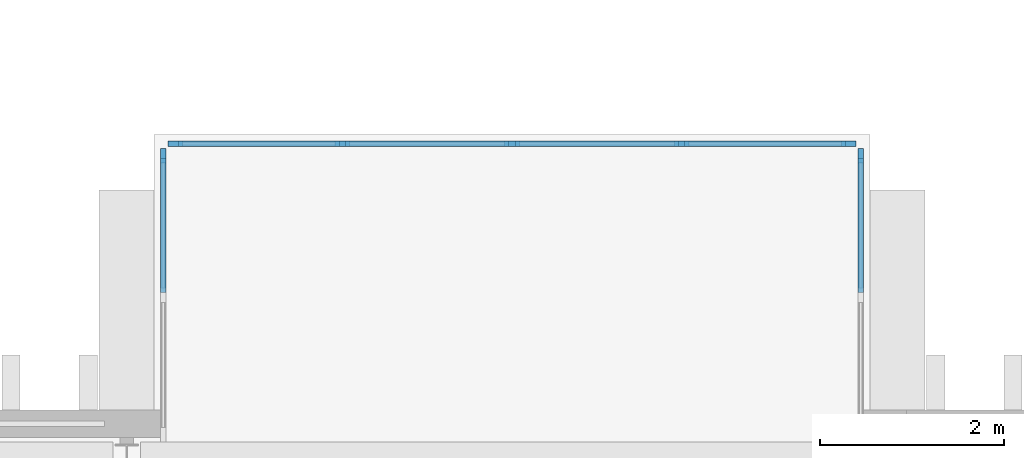
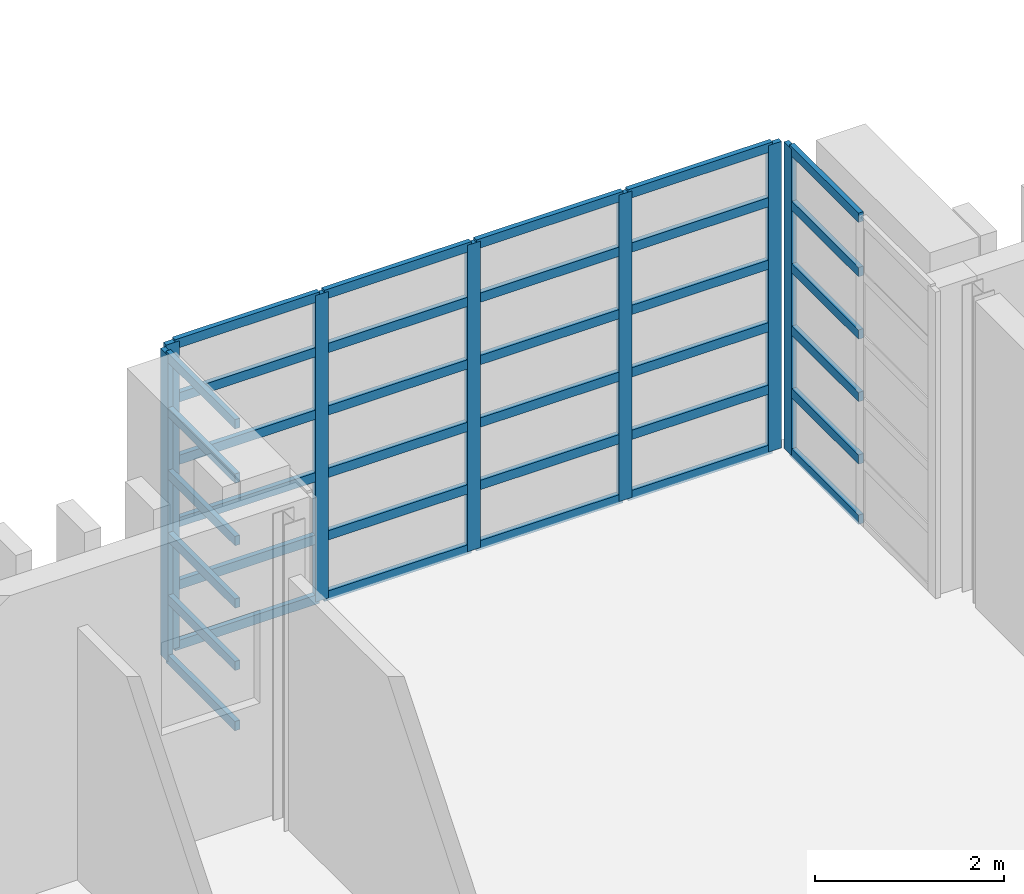
# One storey, part 34 of 88: 43 members, 3 elements without a shape of their own.
"""IFC4 building model written with IfcOpenShell, lengths in metres."""

from ifc_helpers import new_model, si_unit, direction, frame, origin, origin_2d, place, context, subcontext, project, spatial, rectangle, extrude, material, layer, layer_set, material_profile, profile_set, type_object, element, aggregate, save


model = new_model("IFC4")

# Units and contexts
model_context = context("Model", 3, precision=1e-05, world=origin(), true_north=direction((0.0, 1.0)))
body_context = subcontext(model_context, "Body", "Model", "MODEL_VIEW")
ifc_project = project(units=[si_unit("LENGTHUNIT", "METRE"), si_unit("AREAUNIT", "SQUARE_METRE"), si_unit("VOLUMEUNIT", "CUBIC_METRE"), si_unit("PLANEANGLEUNIT", "RADIAN"), si_unit("MASSUNIT", "GRAM", prefix="KILO")], contexts=[model_context])

# Site, building, storey
site_placement = place(None, origin())
site = spatial("IfcSite", under=ifc_project, at=site_placement, CompositionType="ELEMENT")
building_placement = place(site_placement, origin())
building = spatial("IfcBuilding", under=site, at=building_placement, Name="Cresset Court Congress Hotel", CompositionType="ELEMENT")
storey_placement = place(building_placement, frame((0.0, 0.0, 14.39990234375)))
storey = spatial("IfcBuildingStorey", under=building, at=storey_placement, Name="L03", CompositionType="ELEMENT", Elevation=14.39990234375)

# Curtain wall, members
ifc_material_1 = material(Name="Aluminium frame with double glazing", Category="aluminium")
ifc_layer = layer(ifc_material_1, 0.199951171875)
ifc_layer_set = layer_set([ifc_layer], Name="Glazed box curtain wall 1680 module")
curtain_wall_type = type_object("IfcCurtainWallType", Name="Glazed box curtain wall 1680 module", PredefinedType="NOTDEFINED", material=ifc_layer_set)
curtain_wall_1_placement = place(storey_placement, origin())
curtain_wall_1 = element("IfcCurtainWall", 1, at=curtain_wall_1_placement, inside=storey, type_object=curtain_wall_type, Name="Glazed box N0333 front", PredefinedType="NOTDEFINED")
ifc_material_2 = material(Name="Aluminium", Category="aluminium")
ifc_material_profile_1 = material_profile(ifc_material_2, rectangle(XDim=0.06005859375, YDim=0.159912109375, at=origin_2d()), Name="Box mullion 60x160")
ifc_profile_set_1 = profile_set([ifc_material_profile_1], Name="Aluminium")
member_type_1 = type_object("IfcMemberType", Name="Box mullion 60x160", PredefinedType="MULLION", material=ifc_profile_set_1)
member_1_placement = place(storey_placement, frame((126.530029296875, 28.60009765625, 0.0), z_axis=(0.0, 0.0, 1.0), x_axis=(0.0, 1.0, 0.0)))
member_1 = element("IfcMember", 2, at=member_1_placement, type_object=member_type_1, Name="B-X1 mullion 1", PredefinedType="MULLION", context=body_context, shape_type="SweptSolid", body=[
    extrude(rectangle(XDim=0.06005859375, YDim=0.159912109375, at=origin_2d()), origin(), (0.0, 0.0, 1.0), 3.9501953125),
])
member_2_placement = place(storey_placement, frame((128.35009765625, 28.60009765625, 0.0), z_axis=(0.0, 0.0, 1.0), x_axis=(0.0, 1.0, 0.0)))
member_2 = element("IfcMember", 3, at=member_2_placement, type_object=member_type_1, Name="B-X1 mullion 2", PredefinedType="MULLION", context=body_context, shape_type="SweptSolid", body=[
    extrude(rectangle(XDim=0.06005859375, YDim=0.159912109375, at=origin_2d()), origin(), (0.0, 0.0, 1.0), 3.9501953125),
])
member_3_placement = place(storey_placement, frame((130.199951171875, 28.60009765625, 0.0), z_axis=(0.0, 0.0, 1.0), x_axis=(0.0, 1.0, 0.0)))
member_3 = element("IfcMember", 4, at=member_3_placement, type_object=member_type_1, Name="B-X1 mullion 3", PredefinedType="MULLION", context=body_context, shape_type="SweptSolid", body=[
    extrude(rectangle(XDim=0.06005859375, YDim=0.159912109375, at=origin_2d()), origin(), (0.0, 0.0, 1.0), 3.9501953125),
])
member_4_placement = place(storey_placement, frame((132.050048828125, 28.60009765625, 0.0), z_axis=(0.0, 0.0, 1.0), x_axis=(0.0, 1.0, 0.0)))
member_4 = element("IfcMember", 5, at=member_4_placement, type_object=member_type_1, Name="B-X1 mullion 4", PredefinedType="MULLION", context=body_context, shape_type="SweptSolid", body=[
    extrude(rectangle(XDim=0.06005859375, YDim=0.159912109375, at=origin_2d()), origin(), (0.0, 0.0, 1.0), 3.9501953125),
])
member_5_placement = place(storey_placement, frame((133.8701171875, 28.60009765625, 0.0), z_axis=(0.0, 0.0, 1.0), x_axis=(0.0, 1.0, 0.0)))
member_5 = element("IfcMember", 6, at=member_5_placement, type_object=member_type_1, Name="B-X1 mullion 5", PredefinedType="MULLION", context=body_context, shape_type="SweptSolid", body=[
    extrude(rectangle(XDim=0.06005859375, YDim=0.159912109375, at=origin_2d()), origin(), (0.0, 0.0, 1.0), 3.9501953125),
])

# Curtain wall, member
curtain_wall_2_placement = place(storey_placement, origin())
curtain_wall_2 = element("IfcCurtainWall", 7, at=curtain_wall_2_placement, inside=storey, type_object=curtain_wall_type, Name="Glazed box N0333 side", PredefinedType="NOTDEFINED")
member_6_placement = place(storey_placement, frame((126.39990234375, 28.469970703125, 0.0), z_axis=(0.0, 0.0, 1.0), x_axis=(-1.0, 0.0, 0.0)))
member_6 = element("IfcMember", 8, at=member_6_placement, type_object=member_type_1, Name="B-X1 mullion 3", PredefinedType="MULLION", context=body_context, shape_type="SweptSolid", body=[
    extrude(rectangle(XDim=0.06005859375, YDim=0.159912109375, at=origin_2d()), origin(), (0.0, 0.0, 1.0), 3.9501953125),
])

curtain_wall_3_placement = place(storey_placement, origin())
curtain_wall_3 = element("IfcCurtainWall", 9, at=curtain_wall_3_placement, inside=storey, type_object=curtain_wall_type, Name="Glazed box N0333 side", PredefinedType="NOTDEFINED")
member_7_placement = place(storey_placement, frame((134.0, 28.469970703125, 0.0), z_axis=(0.0, 0.0, 1.0), x_axis=(-1.0, 0.0, 0.0)))
member_7 = element("IfcMember", 10, at=member_7_placement, type_object=member_type_1, Name="B-X1 mullion 3", PredefinedType="MULLION", context=body_context, shape_type="SweptSolid", body=[
    extrude(rectangle(XDim=0.06005859375, YDim=0.159912109375, at=origin_2d()), origin(), (0.0, 0.0, 1.0), 3.9501953125),
])

# Member
ifc_material_3 = material(Name="Aluminium", Category="aluminium")
ifc_material_profile_2 = material_profile(ifc_material_3, rectangle(XDim=0.06005859375, YDim=0.1201171875, at=origin_2d()), Name="Box transom 60x120")
ifc_profile_set_2 = profile_set([ifc_material_profile_2], Name="Aluminium")
member_type_2 = type_object("IfcMemberType", Name="Box transom 60x120", PredefinedType="USERDEFINED", material=ifc_profile_set_2)
member_8_placement = place(storey_placement, frame((126.56005859375, 28.60009765625, 0.030029296875), z_axis=(1.0, 0.0, 0.0), x_axis=(0.0, 1.0, 0.0)))
member_8 = element("IfcMember", 11, at=member_8_placement, type_object=member_type_2, Name="B-X1 transom 1.1", ObjectType="TRANSOM", PredefinedType="USERDEFINED", context=body_context, shape_type="SweptSolid", body=[
    extrude(rectangle(XDim=0.06005859375, YDim=0.1201171875, at=origin_2d()), origin(), (0.0, 0.0, 1.0), 1.760009765625),
])

member_9_placement = place(storey_placement, frame((126.56005859375, 28.60009765625, 0.80517578125), z_axis=(1.0, 0.0, 0.0), x_axis=(0.0, 1.0, 0.0)))
member_9 = element("IfcMember", 12, at=member_9_placement, type_object=member_type_2, Name="B-X1 transom 1.2", ObjectType="TRANSOM", PredefinedType="USERDEFINED", context=body_context, shape_type="SweptSolid", body=[
    extrude(rectangle(XDim=0.06005859375, YDim=0.1201171875, at=origin_2d()), origin(), (0.0, 0.0, 1.0), 1.760009765625),
])

member_10_placement = place(storey_placement, frame((126.56005859375, 28.60009765625, 1.610107421875), z_axis=(1.0, 0.0, 0.0), x_axis=(0.0, 1.0, 0.0)))
member_10 = element("IfcMember", 13, at=member_10_placement, type_object=member_type_2, Name="B-X1 transom 1.3", ObjectType="TRANSOM", PredefinedType="USERDEFINED", context=body_context, shape_type="SweptSolid", body=[
    extrude(rectangle(XDim=0.06005859375, YDim=0.1201171875, at=origin_2d()), origin(), (0.0, 0.0, 1.0), 1.760009765625),
])

member_11_placement = place(storey_placement, frame((126.56005859375, 28.60009765625, 2.4150390625), z_axis=(1.0, 0.0, 0.0), x_axis=(0.0, 1.0, 0.0)))
member_11 = element("IfcMember", 14, at=member_11_placement, type_object=member_type_2, Name="B-X1 transom 1.4", ObjectType="TRANSOM", PredefinedType="USERDEFINED", context=body_context, shape_type="SweptSolid", body=[
    extrude(rectangle(XDim=0.06005859375, YDim=0.1201171875, at=origin_2d()), origin(), (0.0, 0.0, 1.0), 1.760009765625),
])

member_12_placement = place(storey_placement, frame((126.56005859375, 28.60009765625, 3.22021484375), z_axis=(1.0, 0.0, 0.0), x_axis=(0.0, 1.0, 0.0)))
member_12 = element("IfcMember", 15, at=member_12_placement, type_object=member_type_2, Name="B-X1 transom 1.5", ObjectType="TRANSOM", PredefinedType="USERDEFINED", context=body_context, shape_type="SweptSolid", body=[
    extrude(rectangle(XDim=0.06005859375, YDim=0.1201171875, at=origin_2d()), origin(), (0.0, 0.0, 1.0), 1.760009765625),
])

member_13_placement = place(storey_placement, frame((126.56005859375, 28.60009765625, 3.920166015625), z_axis=(1.0, 0.0, 0.0), x_axis=(0.0, 1.0, 0.0)))
member_13 = element("IfcMember", 16, at=member_13_placement, type_object=member_type_2, Name="B-X1 transom 1.6", ObjectType="TRANSOM", PredefinedType="USERDEFINED", context=body_context, shape_type="SweptSolid", body=[
    extrude(rectangle(XDim=0.06005859375, YDim=0.1201171875, at=origin_2d()), origin(), (0.0, 0.0, 1.0), 1.760009765625),
])

member_14_placement = place(storey_placement, frame((128.3798828125, 28.60009765625, 0.030029296875), z_axis=(1.0, 0.0, 0.0), x_axis=(0.0, 1.0, 0.0)))
member_14 = element("IfcMember", 17, at=member_14_placement, type_object=member_type_2, Name="B-X1 transom 2.1", ObjectType="TRANSOM", PredefinedType="USERDEFINED", context=body_context, shape_type="SweptSolid", body=[
    extrude(rectangle(XDim=0.06005859375, YDim=0.1201171875, at=origin_2d()), origin(), (0.0, 0.0, 1.0), 1.7900390625),
])

member_15_placement = place(storey_placement, frame((128.3798828125, 28.60009765625, 0.80517578125), z_axis=(1.0, 0.0, 0.0), x_axis=(0.0, 1.0, 0.0)))
member_15 = element("IfcMember", 18, at=member_15_placement, type_object=member_type_2, Name="B-X1 transom 2.2", ObjectType="TRANSOM", PredefinedType="USERDEFINED", context=body_context, shape_type="SweptSolid", body=[
    extrude(rectangle(XDim=0.06005859375, YDim=0.1201171875, at=origin_2d()), origin(), (0.0, 0.0, 1.0), 1.7900390625),
])

member_16_placement = place(storey_placement, frame((128.3798828125, 28.60009765625, 1.610107421875), z_axis=(1.0, 0.0, 0.0), x_axis=(0.0, 1.0, 0.0)))
member_16 = element("IfcMember", 19, at=member_16_placement, type_object=member_type_2, Name="B-X1 transom 2.3", ObjectType="TRANSOM", PredefinedType="USERDEFINED", context=body_context, shape_type="SweptSolid", body=[
    extrude(rectangle(XDim=0.06005859375, YDim=0.1201171875, at=origin_2d()), origin(), (0.0, 0.0, 1.0), 1.7900390625),
])

member_17_placement = place(storey_placement, frame((128.3798828125, 28.60009765625, 2.4150390625), z_axis=(1.0, 0.0, 0.0), x_axis=(0.0, 1.0, 0.0)))
member_17 = element("IfcMember", 20, at=member_17_placement, type_object=member_type_2, Name="B-X1 transom 2.4", ObjectType="TRANSOM", PredefinedType="USERDEFINED", context=body_context, shape_type="SweptSolid", body=[
    extrude(rectangle(XDim=0.06005859375, YDim=0.1201171875, at=origin_2d()), origin(), (0.0, 0.0, 1.0), 1.7900390625),
])

member_18_placement = place(storey_placement, frame((128.3798828125, 28.60009765625, 3.22021484375), z_axis=(1.0, 0.0, 0.0), x_axis=(0.0, 1.0, 0.0)))
member_18 = element("IfcMember", 21, at=member_18_placement, type_object=member_type_2, Name="B-X1 transom 2.5", ObjectType="TRANSOM", PredefinedType="USERDEFINED", context=body_context, shape_type="SweptSolid", body=[
    extrude(rectangle(XDim=0.06005859375, YDim=0.1201171875, at=origin_2d()), origin(), (0.0, 0.0, 1.0), 1.7900390625),
])

member_19_placement = place(storey_placement, frame((128.3798828125, 28.60009765625, 3.920166015625), z_axis=(1.0, 0.0, 0.0), x_axis=(0.0, 1.0, 0.0)))
member_19 = element("IfcMember", 22, at=member_19_placement, type_object=member_type_2, Name="B-X1 transom 2.6", ObjectType="TRANSOM", PredefinedType="USERDEFINED", context=body_context, shape_type="SweptSolid", body=[
    extrude(rectangle(XDim=0.06005859375, YDim=0.1201171875, at=origin_2d()), origin(), (0.0, 0.0, 1.0), 1.7900390625),
])

member_20_placement = place(storey_placement, frame((130.22998046875, 28.60009765625, 0.030029296875), z_axis=(1.0, 0.0, 0.0), x_axis=(0.0, 1.0, 0.0)))
member_20 = element("IfcMember", 23, at=member_20_placement, type_object=member_type_2, Name="B-X1 transom 3.1", ObjectType="TRANSOM", PredefinedType="USERDEFINED", context=body_context, shape_type="SweptSolid", body=[
    extrude(rectangle(XDim=0.06005859375, YDim=0.1201171875, at=origin_2d()), origin(), (0.0, 0.0, 1.0), 1.7900390625),
])

member_21_placement = place(storey_placement, frame((130.22998046875, 28.60009765625, 0.80517578125), z_axis=(1.0, 0.0, 0.0), x_axis=(0.0, 1.0, 0.0)))
member_21 = element("IfcMember", 24, at=member_21_placement, type_object=member_type_2, Name="B-X1 transom 3.2", ObjectType="TRANSOM", PredefinedType="USERDEFINED", context=body_context, shape_type="SweptSolid", body=[
    extrude(rectangle(XDim=0.06005859375, YDim=0.1201171875, at=origin_2d()), origin(), (0.0, 0.0, 1.0), 1.7900390625),
])

member_22_placement = place(storey_placement, frame((130.22998046875, 28.60009765625, 1.610107421875), z_axis=(1.0, 0.0, 0.0), x_axis=(0.0, 1.0, 0.0)))
member_22 = element("IfcMember", 25, at=member_22_placement, type_object=member_type_2, Name="B-X1 transom 3.3", ObjectType="TRANSOM", PredefinedType="USERDEFINED", context=body_context, shape_type="SweptSolid", body=[
    extrude(rectangle(XDim=0.06005859375, YDim=0.1201171875, at=origin_2d()), origin(), (0.0, 0.0, 1.0), 1.7900390625),
])

member_23_placement = place(storey_placement, frame((130.22998046875, 28.60009765625, 2.4150390625), z_axis=(1.0, 0.0, 0.0), x_axis=(0.0, 1.0, 0.0)))
member_23 = element("IfcMember", 26, at=member_23_placement, type_object=member_type_2, Name="B-X1 transom 3.4", ObjectType="TRANSOM", PredefinedType="USERDEFINED", context=body_context, shape_type="SweptSolid", body=[
    extrude(rectangle(XDim=0.06005859375, YDim=0.1201171875, at=origin_2d()), origin(), (0.0, 0.0, 1.0), 1.7900390625),
])

member_24_placement = place(storey_placement, frame((130.22998046875, 28.60009765625, 3.22021484375), z_axis=(1.0, 0.0, 0.0), x_axis=(0.0, 1.0, 0.0)))
member_24 = element("IfcMember", 27, at=member_24_placement, type_object=member_type_2, Name="B-X1 transom 3.5", ObjectType="TRANSOM", PredefinedType="USERDEFINED", context=body_context, shape_type="SweptSolid", body=[
    extrude(rectangle(XDim=0.06005859375, YDim=0.1201171875, at=origin_2d()), origin(), (0.0, 0.0, 1.0), 1.7900390625),
])

member_25_placement = place(storey_placement, frame((130.22998046875, 28.60009765625, 3.920166015625), z_axis=(1.0, 0.0, 0.0), x_axis=(0.0, 1.0, 0.0)))
member_25 = element("IfcMember", 28, at=member_25_placement, type_object=member_type_2, Name="B-X1 transom 3.6", ObjectType="TRANSOM", PredefinedType="USERDEFINED", context=body_context, shape_type="SweptSolid", body=[
    extrude(rectangle(XDim=0.06005859375, YDim=0.1201171875, at=origin_2d()), origin(), (0.0, 0.0, 1.0), 1.7900390625),
])

member_26_placement = place(storey_placement, frame((132.080078125, 28.60009765625, 0.030029296875), z_axis=(1.0, 0.0, 0.0), x_axis=(0.0, 1.0, 0.0)))
member_26 = element("IfcMember", 29, at=member_26_placement, type_object=member_type_2, Name="B-X1 transom 4.1", ObjectType="TRANSOM", PredefinedType="USERDEFINED", context=body_context, shape_type="SweptSolid", body=[
    extrude(rectangle(XDim=0.06005859375, YDim=0.1201171875, at=origin_2d()), origin(), (0.0, 0.0, 1.0), 1.760009765625),
])

member_27_placement = place(storey_placement, frame((132.080078125, 28.60009765625, 0.80517578125), z_axis=(1.0, 0.0, 0.0), x_axis=(0.0, 1.0, 0.0)))
member_27 = element("IfcMember", 30, at=member_27_placement, type_object=member_type_2, Name="B-X1 transom 4.2", ObjectType="TRANSOM", PredefinedType="USERDEFINED", context=body_context, shape_type="SweptSolid", body=[
    extrude(rectangle(XDim=0.06005859375, YDim=0.1201171875, at=origin_2d()), origin(), (0.0, 0.0, 1.0), 1.760009765625),
])

member_28_placement = place(storey_placement, frame((132.080078125, 28.60009765625, 1.610107421875), z_axis=(1.0, 0.0, 0.0), x_axis=(0.0, 1.0, 0.0)))
member_28 = element("IfcMember", 31, at=member_28_placement, type_object=member_type_2, Name="B-X1 transom 4.3", ObjectType="TRANSOM", PredefinedType="USERDEFINED", context=body_context, shape_type="SweptSolid", body=[
    extrude(rectangle(XDim=0.06005859375, YDim=0.1201171875, at=origin_2d()), origin(), (0.0, 0.0, 1.0), 1.760009765625),
])

member_29_placement = place(storey_placement, frame((132.080078125, 28.60009765625, 2.4150390625), z_axis=(1.0, 0.0, 0.0), x_axis=(0.0, 1.0, 0.0)))
member_29 = element("IfcMember", 32, at=member_29_placement, type_object=member_type_2, Name="B-X1 transom 4.4", ObjectType="TRANSOM", PredefinedType="USERDEFINED", context=body_context, shape_type="SweptSolid", body=[
    extrude(rectangle(XDim=0.06005859375, YDim=0.1201171875, at=origin_2d()), origin(), (0.0, 0.0, 1.0), 1.760009765625),
])

member_30_placement = place(storey_placement, frame((132.080078125, 28.60009765625, 3.22021484375), z_axis=(1.0, 0.0, 0.0), x_axis=(0.0, 1.0, 0.0)))
member_30 = element("IfcMember", 33, at=member_30_placement, type_object=member_type_2, Name="B-X1 transom 4.5", ObjectType="TRANSOM", PredefinedType="USERDEFINED", context=body_context, shape_type="SweptSolid", body=[
    extrude(rectangle(XDim=0.06005859375, YDim=0.1201171875, at=origin_2d()), origin(), (0.0, 0.0, 1.0), 1.760009765625),
])

member_31_placement = place(storey_placement, frame((132.080078125, 28.60009765625, 3.920166015625), z_axis=(1.0, 0.0, 0.0), x_axis=(0.0, 1.0, 0.0)))
member_31 = element("IfcMember", 34, at=member_31_placement, type_object=member_type_2, Name="B-X1 transom 4.6", ObjectType="TRANSOM", PredefinedType="USERDEFINED", context=body_context, shape_type="SweptSolid", body=[
    extrude(rectangle(XDim=0.06005859375, YDim=0.1201171875, at=origin_2d()), origin(), (0.0, 0.0, 1.0), 1.760009765625),
])

aggregate(curtain_wall_1, [member_1, member_2, member_3, member_4, member_5, member_8, member_9, member_10, member_11, member_12, member_13, member_14, member_15, member_16, member_17, member_18, member_19, member_20, member_21, member_22, member_23, member_24, member_25, member_26, member_27, member_28, member_29, member_30, member_31])

member_32_placement = place(storey_placement, frame((126.39990234375, 26.97998046875, 0.030029296875), z_axis=(0.0, 1.0, 0.0), x_axis=(-1.0, 0.0, 0.0)))
member_32 = element("IfcMember", 35, at=member_32_placement, type_object=member_type_2, Name="B-X1 transom 2.1", ObjectType="TRANSOM", PredefinedType="USERDEFINED", context=body_context, shape_type="SweptSolid", body=[
    extrude(rectangle(XDim=0.06005859375, YDim=0.1201171875, at=origin_2d()), origin(), (0.0, 0.0, 1.0), 1.4599609375),
])

member_33_placement = place(storey_placement, frame((126.39990234375, 26.97998046875, 0.80517578125), z_axis=(0.0, 1.0, 0.0), x_axis=(-1.0, 0.0, 0.0)))
member_33 = element("IfcMember", 36, at=member_33_placement, type_object=member_type_2, Name="B-X1 transom 2.2", ObjectType="TRANSOM", PredefinedType="USERDEFINED", context=body_context, shape_type="SweptSolid", body=[
    extrude(rectangle(XDim=0.06005859375, YDim=0.1201171875, at=origin_2d()), origin(), (0.0, 0.0, 1.0), 1.4599609375),
])

member_34_placement = place(storey_placement, frame((126.39990234375, 26.97998046875, 1.610107421875), z_axis=(0.0, 1.0, 0.0), x_axis=(-1.0, 0.0, 0.0)))
member_34 = element("IfcMember", 37, at=member_34_placement, type_object=member_type_2, Name="B-X1 transom 2.3", ObjectType="TRANSOM", PredefinedType="USERDEFINED", context=body_context, shape_type="SweptSolid", body=[
    extrude(rectangle(XDim=0.06005859375, YDim=0.1201171875, at=origin_2d()), origin(), (0.0, 0.0, 1.0), 1.4599609375),
])

member_35_placement = place(storey_placement, frame((126.39990234375, 26.97998046875, 2.4150390625), z_axis=(0.0, 1.0, 0.0), x_axis=(-1.0, 0.0, 0.0)))
member_35 = element("IfcMember", 38, at=member_35_placement, type_object=member_type_2, Name="B-X1 transom 2.4", ObjectType="TRANSOM", PredefinedType="USERDEFINED", context=body_context, shape_type="SweptSolid", body=[
    extrude(rectangle(XDim=0.06005859375, YDim=0.1201171875, at=origin_2d()), origin(), (0.0, 0.0, 1.0), 1.4599609375),
])

member_36_placement = place(storey_placement, frame((126.39990234375, 26.97998046875, 3.22021484375), z_axis=(0.0, 1.0, 0.0), x_axis=(-1.0, 0.0, 0.0)))
member_36 = element("IfcMember", 39, at=member_36_placement, type_object=member_type_2, Name="B-X1 transom 2.5", ObjectType="TRANSOM", PredefinedType="USERDEFINED", context=body_context, shape_type="SweptSolid", body=[
    extrude(rectangle(XDim=0.06005859375, YDim=0.1201171875, at=origin_2d()), origin(), (0.0, 0.0, 1.0), 1.4599609375),
])

member_37_placement = place(storey_placement, frame((126.39990234375, 26.97998046875, 3.920166015625), z_axis=(0.0, 1.0, 0.0), x_axis=(-1.0, 0.0, 0.0)))
member_37 = element("IfcMember", 40, at=member_37_placement, type_object=member_type_2, Name="B-X1 transom 2.6", ObjectType="TRANSOM", PredefinedType="USERDEFINED", context=body_context, shape_type="SweptSolid", body=[
    extrude(rectangle(XDim=0.06005859375, YDim=0.1201171875, at=origin_2d()), origin(), (0.0, 0.0, 1.0), 1.4599609375),
])

aggregate(curtain_wall_2, [member_6, member_32, member_33, member_34, member_35, member_36, member_37])

member_38_placement = place(storey_placement, frame((134.0, 26.97998046875, 0.030029296875), z_axis=(0.0, 1.0, 0.0), x_axis=(-1.0, 0.0, 0.0)))
member_38 = element("IfcMember", 41, at=member_38_placement, type_object=member_type_2, Name="B-X1 transom 2.1", ObjectType="TRANSOM", PredefinedType="USERDEFINED", context=body_context, shape_type="SweptSolid", body=[
    extrude(rectangle(XDim=0.06005859375, YDim=0.1201171875, at=origin_2d()), origin(), (0.0, 0.0, 1.0), 1.4599609375),
])

member_39_placement = place(storey_placement, frame((134.0, 26.97998046875, 0.80517578125), z_axis=(0.0, 1.0, 0.0), x_axis=(-1.0, 0.0, 0.0)))
member_39 = element("IfcMember", 42, at=member_39_placement, type_object=member_type_2, Name="B-X1 transom 2.2", ObjectType="TRANSOM", PredefinedType="USERDEFINED", context=body_context, shape_type="SweptSolid", body=[
    extrude(rectangle(XDim=0.06005859375, YDim=0.1201171875, at=origin_2d()), origin(), (0.0, 0.0, 1.0), 1.4599609375),
])

member_40_placement = place(storey_placement, frame((134.0, 26.97998046875, 1.610107421875), z_axis=(0.0, 1.0, 0.0), x_axis=(-1.0, 0.0, 0.0)))
member_40 = element("IfcMember", 43, at=member_40_placement, type_object=member_type_2, Name="B-X1 transom 2.3", ObjectType="TRANSOM", PredefinedType="USERDEFINED", context=body_context, shape_type="SweptSolid", body=[
    extrude(rectangle(XDim=0.06005859375, YDim=0.1201171875, at=origin_2d()), origin(), (0.0, 0.0, 1.0), 1.4599609375),
])

member_41_placement = place(storey_placement, frame((134.0, 26.97998046875, 2.4150390625), z_axis=(0.0, 1.0, 0.0), x_axis=(-1.0, 0.0, 0.0)))
member_41 = element("IfcMember", 44, at=member_41_placement, type_object=member_type_2, Name="B-X1 transom 2.4", ObjectType="TRANSOM", PredefinedType="USERDEFINED", context=body_context, shape_type="SweptSolid", body=[
    extrude(rectangle(XDim=0.06005859375, YDim=0.1201171875, at=origin_2d()), origin(), (0.0, 0.0, 1.0), 1.4599609375),
])

member_42_placement = place(storey_placement, frame((134.0, 26.97998046875, 3.22021484375), z_axis=(0.0, 1.0, 0.0), x_axis=(-1.0, 0.0, 0.0)))
member_42 = element("IfcMember", 45, at=member_42_placement, type_object=member_type_2, Name="B-X1 transom 2.5", ObjectType="TRANSOM", PredefinedType="USERDEFINED", context=body_context, shape_type="SweptSolid", body=[
    extrude(rectangle(XDim=0.06005859375, YDim=0.1201171875, at=origin_2d()), origin(), (0.0, 0.0, 1.0), 1.4599609375),
])

member_43_placement = place(storey_placement, frame((134.0, 26.97998046875, 3.920166015625), z_axis=(0.0, 1.0, 0.0), x_axis=(-1.0, 0.0, 0.0)))
member_43 = element("IfcMember", 46, at=member_43_placement, type_object=member_type_2, Name="B-X1 transom 2.6", ObjectType="TRANSOM", PredefinedType="USERDEFINED", context=body_context, shape_type="SweptSolid", body=[
    extrude(rectangle(XDim=0.06005859375, YDim=0.1201171875, at=origin_2d()), origin(), (0.0, 0.0, 1.0), 1.4599609375),
])

aggregate(curtain_wall_3, [member_7, member_38, member_39, member_40, member_41, member_42, member_43])

save(model, "model.ifc")
